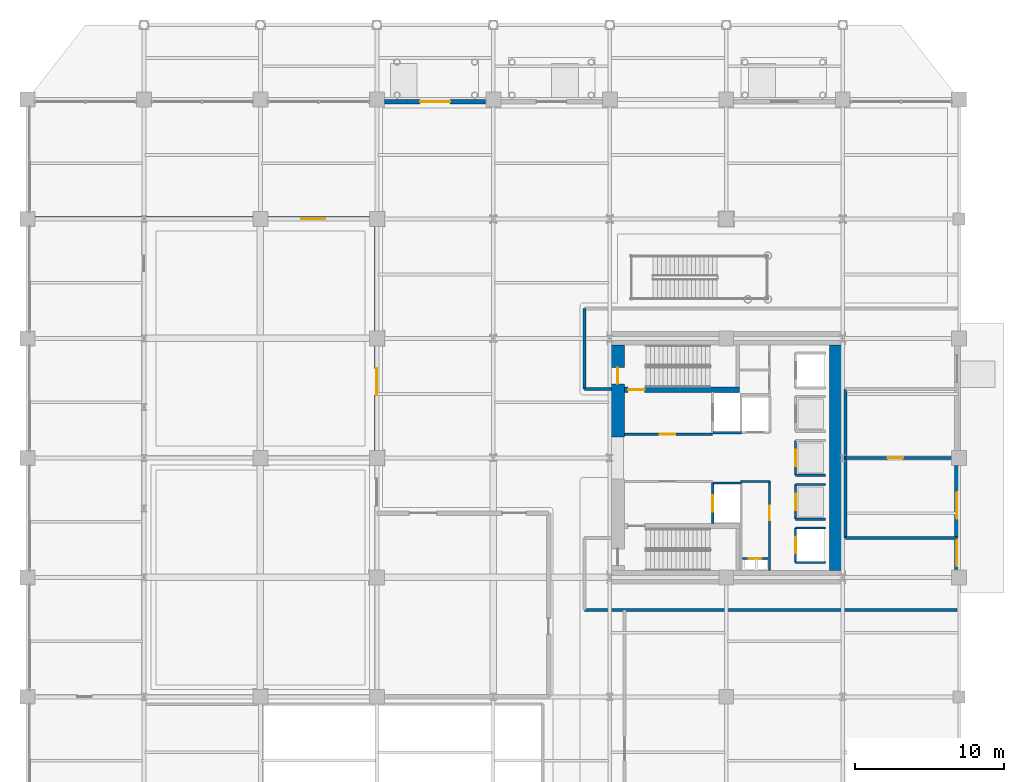
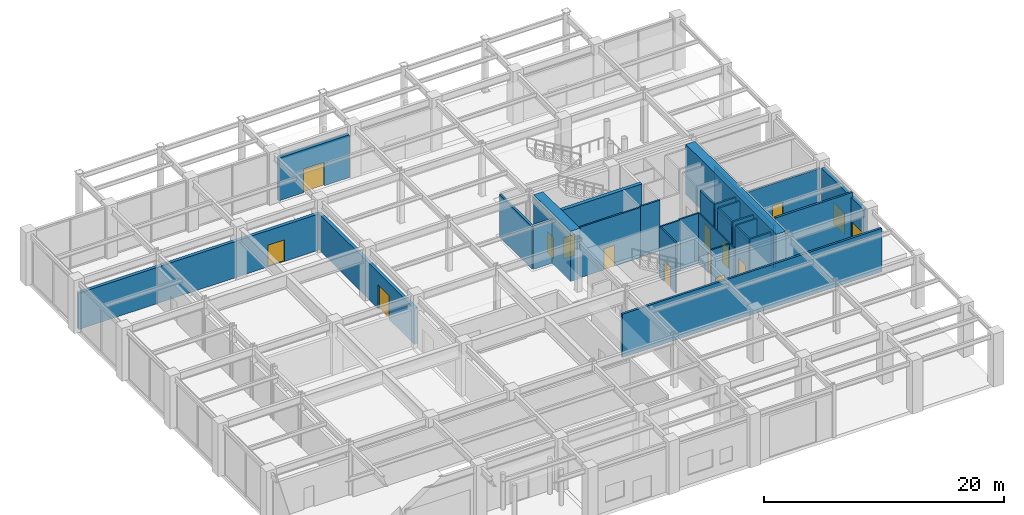
# One storey, part 20 of 27: 28 walls, 15 doors, 15 openings.
"""IFC4 building model written with IfcOpenShell, lengths in metres."""

from ifc_helpers import new_model, si_unit, direction, frame, frame_2d, origin, place, context, subcontext, project, spatial, rectangle, extrude, material, layer, layer_set, type_object, element, fill, save


model = new_model("IFC4")

# Units and contexts
model_context = context("Model", 3, precision=1e-05, world=origin(), true_north=direction((0.0, 1.0)))
body_context = subcontext(model_context, "Body", "Model", "MODEL_VIEW")
ifc_project = project(units=[si_unit("LENGTHUNIT", "METRE"), si_unit("AREAUNIT", "SQUARE_METRE"), si_unit("VOLUMEUNIT", "CUBIC_METRE"), si_unit("PLANEANGLEUNIT", "RADIAN"), si_unit("MASSUNIT", "GRAM", prefix="KILO")], contexts=[model_context])

# Site, building, storey
site_placement = place(None, origin())
site = spatial("IfcSite", under=ifc_project, at=site_placement, CompositionType="ELEMENT")
building_placement = place(site_placement, origin())
building = spatial("IfcBuilding", under=site, at=building_placement, Name="Veymaron Broadcast Tower", CompositionType="ELEMENT")
storey_placement = place(building_placement, origin())
storey = spatial("IfcBuildingStorey", under=building, at=storey_placement, Name="L00", CompositionType="ELEMENT", Elevation=0.0)

# Wall, opening, door
ifc_material_1 = material(Name="Double-stud acoustic gypsum and mineral wool", Category="gypsum")
ifc_layer_1 = layer(ifc_material_1, 0.300048828125)
ifc_layer_set_1 = layer_set([ifc_layer_1], Name="Double-stud acoustic gypsum and mineral wool")
wall_type_1 = type_object("IfcWallType", Name="WALL-ACOUSTIC-300", PredefinedType="PARTITIONING", material=ifc_layer_set_1)
wall_1_placement = place(storey_placement, frame((23.39990234375, 24.0, 0.0), z_axis=(0.0, 0.0, 1.0), x_axis=(0.0, 1.0, 0.0)))
wall_1 = element("IfcWall", 1, at=wall_1_placement, inside=storey, type_object=wall_type_1, Name="L00 partition IW-L00-STU2-E", PredefinedType="PARTITIONING", context=body_context, shape_type="SweptSolid", body=[
    extrude(rectangle(XDim=16.0, YDim=0.300048828125, at=frame_2d((8.0, 0.0))), origin(), (0.0, 0.0, 1.0), 3.68798828125),
])
opening_1_placement = place(wall_1_placement, frame((4.199951171875, 0.0, 0.0)))
opening_1 = element("IfcOpeningElement", 2, at=opening_1_placement, cuts=wall_1, Name="Opening ID-AC1", PredefinedType="OPENING", context=body_context, shape_type="SweptSolid", body=[
    extrude(rectangle(XDim=1.800048828125, YDim=2.39990234375, at=frame_2d((0.89990234375, 1.199951171875))), frame((0.0, 0.16015625, 0.0), z_axis=(0.0, -1.0, 0.0), x_axis=(1.0, 0.0, 0.0)), (0.0, 0.0, 1.0), 0.320068359375),
])
ifc_material_2 = material(Name="STC-55 acoustic steel double leaf with magnetic seals", Category="steel")
door_type_1 = type_object("IfcDoorType", Name="DOOR-ACOUSTIC-1800", OperationType="DOUBLE_DOOR_SINGLE_SWING", PredefinedType="DOOR", material=ifc_material_2)
door_1_placement = place(opening_1_placement, origin())
door_1 = element("IfcDoor", 3, at=door_1_placement, inside=storey, type_object=door_type_1, Name="L00 door DR-L00-STU2", OperationType="SINGLE_SWING_LEFT", OverallHeight=2.39990234375, OverallWidth=1.800048828125, PredefinedType="DOOR", context=body_context, shape_type="SweptSolid", body=[
    extrude(rectangle(XDim=1.800048828125, YDim=2.39990234375, at=frame_2d((0.89990234375, 1.199951171875))), frame((0.0, 0.02490234375, 0.0), z_axis=(0.0, -1.0, 0.0), x_axis=(1.0, 0.0, 0.0)), (0.0, 0.0, 1.0), 0.050048828125),
])
fill(opening_1, door_1)

wall_2_placement = place(storey_placement, frame((0.14990234375, 40.0, 0.0), z_axis=(0.0, 0.0, 1.0), x_axis=(1.0, 0.0, 0.0)))
wall_2 = element("IfcWall", 4, at=wall_2_placement, inside=storey, type_object=wall_type_1, Name="L00 partition IW-L00-STU-N", PredefinedType="PARTITIONING", context=body_context, shape_type="SweptSolid", body=[
    extrude(rectangle(XDim=23.25, YDim=0.300048828125, at=frame_2d((11.625, 0.0))), origin(), (0.0, 0.0, 1.0), 3.68798828125),
])
opening_2_placement = place(wall_2_placement, frame((18.199951171875, 0.0, 0.0)))
opening_2 = element("IfcOpeningElement", 5, at=opening_2_placement, cuts=wall_2, Name="Opening ID-GZ1", PredefinedType="OPENING", context=body_context, shape_type="SweptSolid", body=[
    extrude(rectangle(XDim=1.60009765625, YDim=2.199951171875, at=frame_2d((0.800048828125, 1.10009765625))), frame((0.0, 0.16015625, 0.0), z_axis=(0.0, -1.0, 0.0), x_axis=(1.0, 0.0, 0.0)), (0.0, 0.0, 1.0), 0.320068359375),
])
ifc_material_3 = material(Name="Anodised aluminium and tempered acoustic glass", Category="aluminium")
door_type_2 = type_object("IfcDoorType", Name="DOOR-GLZ-1600", OperationType="DOUBLE_DOOR_SINGLE_SWING", PredefinedType="DOOR", material=ifc_material_3)
door_2_placement = place(opening_2_placement, origin())
door_2 = element("IfcDoor", 6, at=door_2_placement, inside=storey, type_object=door_type_2, Name="L00 door DR-L00-CAFE", OperationType="SINGLE_SWING_LEFT", OverallHeight=2.199951171875, OverallWidth=1.60009765625, PredefinedType="DOOR", context=body_context, shape_type="SweptSolid", body=[
    extrude(rectangle(XDim=1.60009765625, YDim=2.199951171875, at=frame_2d((0.800048828125, 1.10009765625))), frame((0.0, 0.02490234375, 0.0), z_axis=(0.0, -1.0, 0.0), x_axis=(1.0, 0.0, 0.0)), (0.0, 0.0, 1.0), 0.050048828125),
])
fill(opening_2, door_2)

# Wall, openings, doors
ifc_material_4 = material(Name="Precast concrete C40/50 with mineral-wool insulation", Category="concrete")
ifc_layer_2 = layer(ifc_material_4, 0.300048828125)
ifc_layer_set_2 = layer_set([ifc_layer_2], Name="Precast concrete C40/50 with mineral-wool insulation")
wall_type_2 = type_object("IfcWallType", Name="WALL-EXT-300", PredefinedType="STANDARD", material=ifc_layer_set_2)
wall_3_placement = place(storey_placement, frame((62.25, 16.510009765625, 0.0), z_axis=(0.0, 0.0, 1.0), x_axis=(0.0, 1.0, 0.0)))
wall_3 = element("IfcWall", 7, at=wall_3_placement, inside=storey, type_object=wall_type_2, Name="L00 east Fire Command Centre and ST2 exit exterior wall", PredefinedType="STANDARD", context=body_context, shape_type="SweptSolid", body=[
    extrude(rectangle(XDim=6.97998046875, YDim=0.300048828125, at=frame_2d((3.489990234375, 0.0))), origin(), (0.0, 0.0, 1.0), 4.64794921875),
])
opening_3_placement = place(wall_3_placement, frame((0.219970703125, 0.0, 0.0)))
opening_3 = element("IfcOpeningElement", 8, at=opening_3_placement, cuts=wall_3, Name="Opening ED-EX1", PredefinedType="OPENING", context=body_context, shape_type="SweptSolid", body=[
    extrude(rectangle(XDim=1.800048828125, YDim=2.199951171875, at=frame_2d((0.89990234375, 1.10009765625))), frame((0.0, 0.16015625, 0.0), z_axis=(0.0, -1.0, 0.0), x_axis=(1.0, 0.0, 0.0)), (0.0, 0.0, 1.0), 0.320068359375),
])
opening_4_placement = place(wall_3_placement, frame((3.39990234375, 0.0, 0.0)))
opening_4 = element("IfcOpeningElement", 9, at=opening_4_placement, cuts=wall_3, Name="Opening ED-EX1", PredefinedType="OPENING", context=body_context, shape_type="SweptSolid", body=[
    extrude(rectangle(XDim=1.800048828125, YDim=2.199951171875, at=frame_2d((0.89990234375, 1.10009765625))), frame((0.0, 0.16015625, 0.0), z_axis=(0.0, -1.0, 0.0), x_axis=(1.0, 0.0, 0.0)), (0.0, 0.0, 1.0), 0.320068359375),
])
ifc_material_5 = material(Name="Painted galvanized hollow steel ASTM A653", Category="steel")
door_type_3 = type_object("IfcDoorType", Name="DOOR-EXT-1800", OperationType="DOUBLE_DOOR_SINGLE_SWING", PredefinedType="DOOR", material=ifc_material_5)
door_3_placement = place(opening_3_placement, frame((1.800048828125, 0.0, 0.0), z_axis=(0.0, 0.0, 1.0), x_axis=(-1.0, 0.0, 0.0)))
door_3 = element("IfcDoor", 10, at=door_3_placement, inside=storey, type_object=door_type_3, Name="L00 exit stair ST2 direct street discharge door", OperationType="SINGLE_SWING_LEFT", OverallHeight=2.199951171875, OverallWidth=1.800048828125, PredefinedType="DOOR", context=body_context, shape_type="SweptSolid", body=[
    extrude(rectangle(XDim=1.800048828125, YDim=2.199951171875, at=frame_2d((0.89990234375, 1.10009765625))), frame((0.0, 0.02490234375, 0.0), z_axis=(0.0, -1.0, 0.0), x_axis=(1.0, 0.0, 0.0)), (0.0, 0.0, 1.0), 0.050048828125),
])
fill(opening_3, door_3)
door_4_placement = place(opening_4_placement, frame((1.800048828125, 0.0, 0.0), z_axis=(0.0, 0.0, 1.0), x_axis=(-1.0, 0.0, 0.0)))
door_4 = element("IfcDoor", 11, at=door_4_placement, inside=storey, type_object=door_type_3, Name="L00 Fire Command Centre direct street entrance door", OperationType="SINGLE_SWING_LEFT", OverallHeight=2.199951171875, OverallWidth=1.800048828125, PredefinedType="DOOR", context=body_context, shape_type="SweptSolid", body=[
    extrude(rectangle(XDim=1.800048828125, YDim=2.199951171875, at=frame_2d((0.89990234375, 1.10009765625))), frame((0.0, 0.02490234375, 0.0), z_axis=(0.0, -1.0, 0.0), x_axis=(1.0, 0.0, 0.0)), (0.0, 0.0, 1.0), 0.050048828125),
])
fill(opening_4, door_4)

# Wall, opening, door
wall_4_placement = place(storey_placement, frame((23.909912109375, 47.85009765625, 0.0), z_axis=(0.0, 0.0, 1.0), x_axis=(1.0, 0.0, 0.0)))
wall_4 = element("IfcWall", 12, at=wall_4_placement, inside=storey, type_object=wall_type_2, Name="L00 north waterfront entrance wall bay 1", PredefinedType="STANDARD", context=body_context, shape_type="SweptSolid", body=[
    extrude(rectangle(XDim=6.780029296875, YDim=0.300048828125, at=frame_2d((3.39013671875, 0.0))), origin(), (0.0, 0.0, 1.0), 4.337890625),
])
opening_5_placement = place(wall_4_placement, frame((2.389892578125, 0.0, 0.0)))
opening_5 = element("IfcOpeningElement", 13, at=opening_5_placement, cuts=wall_4, Name="Opening ED-MN1", PredefinedType="OPENING", context=body_context, shape_type="SweptSolid", body=[
    extrude(rectangle(XDim=2.0, YDim=2.39990234375, at=frame_2d((1.0, 1.199951171875))), frame((0.0, 0.16015625, 0.0), z_axis=(0.0, -1.0, 0.0), x_axis=(1.0, 0.0, 0.0)), (0.0, 0.0, 1.0), 0.320068359375),
])
ifc_material_6 = material(Name="Thermally broken anodised aluminium and laminated safety glass", Category="aluminium")
door_type_4 = type_object("IfcDoorType", Name="DOOR-EXT-2000", OperationType="DOUBLE_DOOR_SINGLE_SWING", PredefinedType="DOOR", material=ifc_material_6)
door_5_placement = place(opening_5_placement, origin())
door_5 = element("IfcDoor", 14, at=door_5_placement, inside=storey, type_object=door_type_4, Name="Waterfront concourse main entrance A", OperationType="SINGLE_SWING_LEFT", OverallHeight=2.39990234375, OverallWidth=2.0, PredefinedType="DOOR", context=body_context, shape_type="SweptSolid", body=[
    extrude(rectangle(XDim=2.0, YDim=2.39990234375, at=frame_2d((1.0, 1.199951171875))), frame((0.0, 0.02490234375, 0.0), z_axis=(0.0, -1.0, 0.0), x_axis=(1.0, 0.0, 0.0)), (0.0, 0.0, 1.0), 0.050048828125),
])
fill(opening_5, door_5)

ifc_material_7 = material(Name="Gypsum fireboard and steel stud framing", Category="steel")
ifc_layer_3 = layer(ifc_material_7, 0.14990234375)
ifc_layer_set_3 = layer_set([ifc_layer_3], Name="Gypsum fireboard and steel stud framing")
wall_type_3 = type_object("IfcWallType", Name="WALL-FIRE-150", PredefinedType="PARTITIONING", material=ifc_layer_set_3)
wall_5_placement = place(storey_placement, frame((39.97998046875, 25.574951171875, 0.0), z_axis=(0.0, 0.0, 1.0), x_axis=(1.0, 0.0, 0.0)))
wall_5 = element("IfcWall", 15, at=wall_5_placement, inside=storey, type_object=wall_type_3, Name="L00 partition IW-L00-FFLN-S", PredefinedType="PARTITIONING", context=body_context, shape_type="SweptSolid", body=[
    extrude(rectangle(XDim=5.89990234375, YDim=0.14990234375, at=frame_2d((2.949951171875, 0.0))), origin(), (0.0, 0.0, 1.0), 5.1201171875),
])
opening_6_placement = place(wall_5_placement, frame((2.35009765625, 0.0, 0.0)))
opening_6 = element("IfcOpeningElement", 16, at=opening_6_placement, cuts=wall_5, Name="Opening ID-FL1", PredefinedType="OPENING", context=body_context, shape_type="SweptSolid", body=[
    extrude(rectangle(XDim=1.050048828125, YDim=2.14990234375, at=frame_2d((0.52490234375, 1.074951171875))), frame((0.0, 0.0849609375, 0.0), z_axis=(0.0, -1.0, 0.0), x_axis=(1.0, 0.0, 0.0)), (0.0, 0.0, 1.0), 0.169921875),
])
ifc_material_8 = material(Name="Fire-rated painted hollow steel ASTM A653", Category="steel")
door_type_5 = type_object("IfcDoorType", Name="DOOR-FIRE-1050", OperationType="NOTDEFINED", PredefinedType="DOOR", material=ifc_material_8)
door_6_placement = place(opening_6_placement, origin())
door_6 = element("IfcDoor", 17, at=door_6_placement, inside=storey, type_object=door_type_5, Name="L00 door DR-L00-FFLN", OperationType="SINGLE_SWING_LEFT", OverallHeight=2.14990234375, OverallWidth=1.050048828125, PredefinedType="DOOR", context=body_context, shape_type="SweptSolid", body=[
    extrude(rectangle(XDim=1.050048828125, YDim=2.14990234375, at=frame_2d((0.52490234375, 1.074951171875))), frame((0.0, 0.02490234375, 0.0), z_axis=(0.0, -1.0, 0.0), x_axis=(1.0, 0.0, 0.0)), (0.0, 0.0, 1.0), 0.050048828125),
])
fill(opening_6, door_6)

# Wall
wall_6_placement = place(storey_placement, frame((45.89501953125, 25.68994140625, 0.0), z_axis=(0.0, 0.0, 1.0), x_axis=(1.0, 0.0, 0.0)))
element("IfcWall", 18, at=wall_6_placement, inside=storey, type_object=wall_type_3, Name="L00 partition IW-L00-SHS-FFL-1", PredefinedType="PARTITIONING", context=body_context, shape_type="SweptSolid", body=[
    extrude(rectangle(XDim=1.9150390625, YDim=0.14990234375, at=frame_2d((0.95751953125, 0.0))), origin(), (0.0, 0.0, 1.0), 5.1201171875),
])

# Wall, opening, door
wall_7_placement = place(storey_placement, frame((45.89501953125, 19.590087890625, 0.0), z_axis=(0.0, 0.0, 1.0), x_axis=(0.0, 1.0, 0.0)))
wall_7 = element("IfcWall", 19, at=wall_7_placement, inside=storey, type_object=wall_type_3, Name="L00 partition IW-L00-SHW-FFL-2", PredefinedType="PARTITIONING", context=body_context, shape_type="SweptSolid", body=[
    extrude(rectangle(XDim=2.719970703125, YDim=0.14990234375, at=frame_2d((1.35986328125, 0.0))), origin(), (0.0, 0.0, 1.0), 5.1201171875),
])
opening_7_placement = place(wall_7_placement, frame((0.81005859375, 0.0, 0.0)))
opening_7 = element("IfcOpeningElement", 20, at=opening_7_placement, cuts=wall_7, Name="Opening LD", PredefinedType="OPENING", context=body_context, shape_type="SweptSolid", body=[
    extrude(rectangle(XDim=1.10009765625, YDim=2.14990234375, at=frame_2d((0.550048828125, 1.074951171875))), frame((0.0, 0.0849609375, 0.0), z_axis=(0.0, -1.0, 0.0), x_axis=(1.0, 0.0, 0.0)), (0.0, 0.0, 1.0), 0.169921875),
])
ifc_material_9 = material(Name="Brushed stainless steel AISI 304", Category="steel")
door_type_6 = type_object("IfcDoorType", Name="DOOR-LIFT-1100", OperationType="DOUBLE_DOOR_SLIDING", PredefinedType="DOOR", material=ifc_material_9)
door_7_placement = place(opening_7_placement, frame((1.10009765625, 0.0, 0.0), z_axis=(0.0, 0.0, 1.0), x_axis=(-1.0, 0.0, 0.0)))
door_7 = element("IfcDoor", 21, at=door_7_placement, inside=storey, type_object=door_type_6, Name="L00 door LD-L00-FFL-2", OperationType="DOUBLE_DOOR_SLIDING", OverallHeight=2.14990234375, OverallWidth=1.10009765625, PredefinedType="DOOR", context=body_context, shape_type="SweptSolid", body=[
    extrude(rectangle(XDim=1.10009765625, YDim=2.14990234375, at=frame_2d((0.550048828125, 1.074951171875))), frame((0.0, 0.02490234375, 0.0), z_axis=(0.0, -1.0, 0.0), x_axis=(1.0, 0.0, 0.0)), (0.0, 0.0, 1.0), 0.050048828125),
])
fill(opening_7, door_7)

# Wall
wall_8_placement = place(storey_placement, frame((45.89501953125, 22.31005859375, 0.0), z_axis=(0.0, 0.0, 1.0), x_axis=(1.0, 0.0, 0.0)))
element("IfcWall", 22, at=wall_8_placement, inside=storey, type_object=wall_type_3, Name="L00 partition IW-L00-SHN-FFL-2", PredefinedType="PARTITIONING", context=body_context, shape_type="SweptSolid", body=[
    extrude(rectangle(XDim=1.9150390625, YDim=0.14990234375, at=frame_2d((0.95751953125, 0.0))), origin(), (0.0, 0.0, 1.0), 5.1201171875),
])

# Wall, opening, door
wall_9_placement = place(storey_placement, frame((51.445068359375, 19.889892578125, 0.0), z_axis=(0.0, 0.0, 1.0), x_axis=(0.0, 1.0, 0.0)))
wall_9 = element("IfcWall", 23, at=wall_9_placement, inside=storey, type_object=wall_type_3, Name="L00 partition IW-L00-SHW-PM2", PredefinedType="PARTITIONING", context=body_context, shape_type="SweptSolid", body=[
    extrude(rectangle(XDim=2.320068359375, YDim=0.14990234375, at=frame_2d((1.16015625, 0.0))), origin(), (0.0, 0.0, 1.0), 5.1201171875),
])
opening_8_placement = place(wall_9_placement, frame((0.610107421875, 0.0, 0.0)))
opening_8 = element("IfcOpeningElement", 24, at=opening_8_placement, cuts=wall_9, Name="Opening LD", PredefinedType="OPENING", context=body_context, shape_type="SweptSolid", body=[
    extrude(rectangle(XDim=1.10009765625, YDim=2.14990234375, at=frame_2d((0.550048828125, 1.074951171875))), frame((0.0, 0.0849609375, 0.0), z_axis=(0.0, -1.0, 0.0), x_axis=(1.0, 0.0, 0.0)), (0.0, 0.0, 1.0), 0.169921875),
])
door_8_placement = place(opening_8_placement, frame((1.10009765625, 0.0, 0.0), z_axis=(0.0, 0.0, 1.0), x_axis=(-1.0, 0.0, 0.0)))
door_8 = element("IfcDoor", 25, at=door_8_placement, inside=storey, type_object=door_type_6, Name="L00 door LD-L00-PM2", OperationType="DOUBLE_DOOR_SLIDING", OverallHeight=2.14990234375, OverallWidth=1.10009765625, PredefinedType="DOOR", context=body_context, shape_type="SweptSolid", body=[
    extrude(rectangle(XDim=1.10009765625, YDim=2.14990234375, at=frame_2d((0.550048828125, 1.074951171875))), frame((0.0, 0.02490234375, 0.0), z_axis=(0.0, -1.0, 0.0), x_axis=(1.0, 0.0, 0.0)), (0.0, 0.0, 1.0), 0.050048828125),
])
fill(opening_8, door_8)

# Walls
for number, where, z_axis, x_axis, name in (
    (26, (51.445068359375, 19.889892578125, 0.0), (0.0, 0.0, 1.0), (1.0, 0.0, 0.0), "L00 partition IW-L00-SHS-PM2"),
    (27, (51.445068359375, 22.2099609375, 0.0), (0.0, 0.0, 1.0), (1.0, 0.0, 0.0), "L00 partition IW-L00-SHN-PM2"),
):
    element("IfcWall", number, at=place(storey_placement, frame(where, z_axis=z_axis, x_axis=x_axis)), inside=storey, type_object=wall_type_3, Name=name, PredefinedType="PARTITIONING", context=body_context, shape_type="SweptSolid", body=[
        extrude(rectangle(XDim=2.014892578125, YDim=0.14990234375, at=frame_2d((1.00732421875, 0.0))), origin(), (0.0, 0.0, 1.0), 5.1201171875),
    ])

# Wall, opening, door
wall_10_placement = place(storey_placement, frame((51.445068359375, 22.840087890625, 0.0), z_axis=(0.0, 0.0, 1.0), x_axis=(0.0, 1.0, 0.0)))
wall_10 = element("IfcWall", 28, at=wall_10_placement, inside=storey, type_object=wall_type_3, Name="L00 partition IW-L00-SHW-PM3", PredefinedType="PARTITIONING", context=body_context, shape_type="SweptSolid", body=[
    extrude(rectangle(XDim=2.31982421875, YDim=0.14990234375, at=frame_2d((1.159912109375, 0.0))), origin(), (0.0, 0.0, 1.0), 5.1201171875),
])
opening_9_placement = place(wall_10_placement, frame((0.610107421875, 0.0, 0.0)))
opening_9 = element("IfcOpeningElement", 29, at=opening_9_placement, cuts=wall_10, Name="Opening LD", PredefinedType="OPENING", context=body_context, shape_type="SweptSolid", body=[
    extrude(rectangle(XDim=1.10009765625, YDim=2.14990234375, at=frame_2d((0.550048828125, 1.074951171875))), frame((0.0, 0.0849609375, 0.0), z_axis=(0.0, -1.0, 0.0), x_axis=(1.0, 0.0, 0.0)), (0.0, 0.0, 1.0), 0.169921875),
])
door_9_placement = place(opening_9_placement, frame((1.10009765625, 0.0, 0.0), z_axis=(0.0, 0.0, 1.0), x_axis=(-1.0, 0.0, 0.0)))
door_9 = element("IfcDoor", 30, at=door_9_placement, inside=storey, type_object=door_type_6, Name="L00 door LD-L00-PM3", OperationType="DOUBLE_DOOR_SLIDING", OverallHeight=2.14990234375, OverallWidth=1.10009765625, PredefinedType="DOOR", context=body_context, shape_type="SweptSolid", body=[
    extrude(rectangle(XDim=1.10009765625, YDim=2.14990234375, at=frame_2d((0.550048828125, 1.074951171875))), frame((0.0, 0.02490234375, 0.0), z_axis=(0.0, -1.0, 0.0), x_axis=(1.0, 0.0, 0.0)), (0.0, 0.0, 1.0), 0.050048828125),
])
fill(opening_9, door_9)

# Wall
wall_11_placement = place(storey_placement, frame((51.445068359375, 22.840087890625, 0.0), z_axis=(0.0, 0.0, 1.0), x_axis=(1.0, 0.0, 0.0)))
element("IfcWall", 31, at=wall_11_placement, inside=storey, type_object=wall_type_3, Name="L00 partition IW-L00-SHS-PM3", PredefinedType="PARTITIONING", context=body_context, shape_type="SweptSolid", body=[
    extrude(rectangle(XDim=2.014892578125, YDim=0.14990234375, at=frame_2d((1.00732421875, 0.0))), origin(), (0.0, 0.0, 1.0), 5.1201171875),
])

# Wall, opening, door
wall_12_placement = place(storey_placement, frame((51.445068359375, 16.989990234375, 0.0), z_axis=(0.0, 0.0, 1.0), x_axis=(0.0, 1.0, 0.0)))
wall_12 = element("IfcWall", 32, at=wall_12_placement, inside=storey, type_object=wall_type_3, Name="L00 partition IW-L00-SHW-PH1", PredefinedType="PARTITIONING", context=body_context, shape_type="SweptSolid", body=[
    extrude(rectangle(XDim=2.320068359375, YDim=0.14990234375, at=frame_2d((1.16015625, 0.0))), origin(), (0.0, 0.0, 1.0), 5.1201171875),
])
opening_10_placement = place(wall_12_placement, frame((0.610107421875, 0.0, 0.0)))
opening_10 = element("IfcOpeningElement", 33, at=opening_10_placement, cuts=wall_12, Name="Opening LD", PredefinedType="OPENING", context=body_context, shape_type="SweptSolid", body=[
    extrude(rectangle(XDim=1.10009765625, YDim=2.14990234375, at=frame_2d((0.550048828125, 1.074951171875))), frame((0.0, 0.0849609375, 0.0), z_axis=(0.0, -1.0, 0.0), x_axis=(1.0, 0.0, 0.0)), (0.0, 0.0, 1.0), 0.169921875),
])
door_10_placement = place(opening_10_placement, frame((1.10009765625, 0.0, 0.0), z_axis=(0.0, 0.0, 1.0), x_axis=(-1.0, 0.0, 0.0)))
door_10 = element("IfcDoor", 34, at=door_10_placement, inside=storey, type_object=door_type_6, Name="L00 door LD-L00-PH1", OperationType="DOUBLE_DOOR_SLIDING", OverallHeight=2.14990234375, OverallWidth=1.10009765625, PredefinedType="DOOR", context=body_context, shape_type="SweptSolid", body=[
    extrude(rectangle(XDim=1.10009765625, YDim=2.14990234375, at=frame_2d((0.550048828125, 1.074951171875))), frame((0.0, 0.02490234375, 0.0), z_axis=(0.0, -1.0, 0.0), x_axis=(1.0, 0.0, 0.0)), (0.0, 0.0, 1.0), 0.050048828125),
])
fill(opening_10, door_10)

# Walls
for number, where, z_axis, x_axis, name in (
    (35, (51.445068359375, 16.989990234375, 0.0), (0.0, 0.0, 1.0), (1.0, 0.0, 0.0), "L00 partition IW-L00-SHS-PH1"),
    (36, (51.445068359375, 19.31005859375, 0.0), (0.0, 0.0, 1.0), (1.0, 0.0, 0.0), "L00 partition IW-L00-SHN-PH1"),
):
    element("IfcWall", number, at=place(storey_placement, frame(where, z_axis=z_axis, x_axis=x_axis)), inside=storey, type_object=wall_type_3, Name=name, PredefinedType="PARTITIONING", context=body_context, shape_type="SweptSolid", body=[
        extrude(rectangle(XDim=2.014892578125, YDim=0.14990234375, at=frame_2d((1.00732421875, 0.0))), origin(), (0.0, 0.0, 1.0), 5.1201171875),
    ])

# Wall, opening, door
wall_13_placement = place(storey_placement, frame((47.8798828125, 17.260009765625, 0.0), z_axis=(0.0, 0.0, 1.0), x_axis=(1.0, 0.0, 0.0)))
wall_13 = element("IfcWall", 37, at=wall_13_placement, inside=storey, type_object=wall_type_3, Name="L00 partition IW-L00-RIS-N", PredefinedType="PARTITIONING", context=body_context, shape_type="SweptSolid", body=[
    extrude(rectangle(XDim=1.72021484375, YDim=0.14990234375, at=frame_2d((0.860107421875, 0.0))), origin(), (0.0, 0.0, 1.0), 5.1201171875),
])
opening_11_placement = place(wall_13_placement, frame((0.419921875, 0.0, 0.0)))
opening_11 = element("IfcOpeningElement", 38, at=opening_11_placement, cuts=wall_13, Name="Opening ID-RS1", PredefinedType="OPENING", context=body_context, shape_type="SweptSolid", body=[
    extrude(rectangle(XDim=0.85009765625, YDim=2.14990234375, at=frame_2d((0.425048828125, 1.074951171875))), frame((0.0, 0.0849609375, 0.0), z_axis=(0.0, -1.0, 0.0), x_axis=(1.0, 0.0, 0.0)), (0.0, 0.0, 1.0), 0.169921875),
])
ifc_material_10 = material(Name="Fire-rated powder-coated steel riser leaf", Category="steel")
door_type_7 = type_object("IfcDoorType", Name="DOOR-RIS-850", OperationType="NOTDEFINED", PredefinedType="TRAPDOOR", material=ifc_material_10)
door_11_placement = place(opening_11_placement, origin())
door_11 = element("IfcDoor", 39, at=door_11_placement, inside=storey, type_object=door_type_7, Name="L00 door DR-L00-RIS", OperationType="SINGLE_SWING_LEFT", OverallHeight=2.14990234375, OverallWidth=0.85009765625, PredefinedType="TRAPDOOR", context=body_context, shape_type="SweptSolid", body=[
    extrude(rectangle(XDim=0.85009765625, YDim=2.14990234375, at=frame_2d((0.425048828125, 1.074951171875))), frame((0.0, 0.02490234375, 0.0), z_axis=(0.0, -1.0, 0.0), x_axis=(1.0, 0.0, 0.0)), (0.0, 0.0, 1.0), 0.050048828125),
])
fill(opening_11, door_11)

# Walls
wall_14_placement = place(storey_placement, frame((47.760009765625, 22.425048828125, 0.0), z_axis=(0.0, 0.0, 1.0), x_axis=(1.0, 0.0, 0.0)))
element("IfcWall", 40, at=wall_14_placement, inside=storey, type_object=wall_type_3, Name="L00 partition IW-L00-SM-N", PredefinedType="PARTITIONING", context=body_context, shape_type="SweptSolid", body=[
    extrude(rectangle(XDim=1.9599609375, YDim=0.14990234375, at=frame_2d((0.97998046875, 0.0))), origin(), (0.0, 0.0, 1.0), 5.1201171875),
])
ifc_material_11 = material(Name="Concrete C40/50", Category="concrete")
ifc_layer_4 = layer(ifc_material_11, 0.199951171875)
ifc_layer_set_4 = layer_set([ifc_layer_4], Name="Concrete C40/50")
wall_type_4 = type_object("IfcWallType", Name="WALL-FIRE-200", PredefinedType="SOLIDWALL", material=ifc_layer_set_4)
wall_15_placement = place(storey_placement, frame((37.300048828125, 28.60009765625, 0.0), z_axis=(0.0, 0.0, 1.0), x_axis=(0.0, 1.0, 0.0)))
element("IfcWall", 41, at=wall_15_placement, inside=storey, type_object=wall_type_4, Name="L00 partition IW-L00-EX1-W", PredefinedType="SOLIDWALL", context=body_context, shape_type="SweptSolid", body=[
    extrude(rectangle(XDim=5.39990234375, YDim=0.199951171875, at=frame_2d((2.699951171875, 0.0))), origin(), (0.0, 0.0, 1.0), 4.337890625),
])
wall_16_placement = place(storey_placement, frame((37.300048828125, 28.60009765625, 0.0), z_axis=(0.0, 0.0, 1.0), x_axis=(1.0, 0.0, 0.0)))
element("IfcWall", 42, at=wall_16_placement, inside=storey, type_object=wall_type_4, Name="L00 partition IW-L00-EX1-S0", PredefinedType="SOLIDWALL", context=body_context, shape_type="SweptSolid", body=[
    extrude(rectangle(XDim=1.800048828125, YDim=0.199951171875, at=frame_2d((0.89990234375, 0.0))), origin(), (0.0, 0.0, 1.0), 4.4150390625),
])
wall_17_placement = place(storey_placement, frame((37.300048828125, 13.800048828125, 0.0), z_axis=(0.0, 0.0, 1.0), x_axis=(1.0, 0.0, 0.0)))
element("IfcWall", 43, at=wall_17_placement, inside=storey, type_object=wall_type_4, Name="L00 partition IW-L00-EX2-S", PredefinedType="SOLIDWALL", context=body_context, shape_type="SweptSolid", body=[
    extrude(rectangle(XDim=24.949951171875, YDim=0.199951171875, at=frame_2d((12.47509765625, 0.0))), origin(), (0.0, 0.0, 1.0), 4.4150390625),
])
wall_18_placement = place(storey_placement, frame((54.800048828125, 18.64990234375, 0.0), z_axis=(0.0, 0.0, 1.0), x_axis=(1.0, 0.0, 0.0)))
element("IfcWall", 44, at=wall_18_placement, inside=storey, type_object=wall_type_4, Name="L00 partition IW-L00-EX2-N", PredefinedType="SOLIDWALL", context=body_context, shape_type="SweptSolid", body=[
    extrude(rectangle(XDim=7.449951171875, YDim=0.199951171875, at=frame_2d((3.72509765625, 0.0))), origin(), (0.0, 0.0, 1.0), 5.1201171875),
])
wall_19_placement = place(storey_placement, frame((54.800048828125, 18.64990234375, 0.0), z_axis=(0.0, 0.0, 1.0), x_axis=(0.0, 1.0, 0.0)))
element("IfcWall", 45, at=wall_19_placement, inside=storey, type_object=wall_type_4, Name="L00 partition IW-L00-FCC-W", PredefinedType="SOLIDWALL", context=body_context, shape_type="SweptSolid", body=[
    extrude(rectangle(XDim=9.9501953125, YDim=0.199951171875, at=frame_2d((4.97509765625, 0.0))), origin(), (0.0, 0.0, 1.0), 4.337890625),
])

# Wall, opening, door
wall_20_placement = place(storey_placement, frame((54.800048828125, 24.0, 0.0), z_axis=(0.0, 0.0, 1.0), x_axis=(1.0, 0.0, 0.0)))
wall_20 = element("IfcWall", 46, at=wall_20_placement, inside=storey, type_object=wall_type_4, Name="L00 partition IW-L00-FCC-N", PredefinedType="SOLIDWALL", context=body_context, shape_type="SweptSolid", body=[
    extrude(rectangle(XDim=7.449951171875, YDim=0.199951171875, at=frame_2d((3.72509765625, 0.0))), origin(), (0.0, 0.0, 1.0), 4.337890625),
])
opening_12_placement = place(wall_20_placement, frame((2.800048828125, 0.0, 0.0)))
opening_12 = element("IfcOpeningElement", 47, at=opening_12_placement, cuts=wall_20, Name="Opening ID-FL1", PredefinedType="OPENING", context=body_context, shape_type="SweptSolid", body=[
    extrude(rectangle(XDim=1.050048828125, YDim=2.14990234375, at=frame_2d((0.52490234375, 1.074951171875))), frame((0.0, 0.10986328125, 0.0), z_axis=(0.0, -1.0, 0.0), x_axis=(1.0, 0.0, 0.0)), (0.0, 0.0, 1.0), 0.219970703125),
])
door_12_placement = place(opening_12_placement, origin())
door_12 = element("IfcDoor", 48, at=door_12_placement, inside=storey, type_object=door_type_5, Name="L00 door DR-L00-FCC", OperationType="SINGLE_SWING_LEFT", OverallHeight=2.14990234375, OverallWidth=1.050048828125, PredefinedType="DOOR", context=body_context, shape_type="SweptSolid", body=[
    extrude(rectangle(XDim=1.050048828125, YDim=2.14990234375, at=frame_2d((0.52490234375, 1.074951171875))), frame((0.0, 0.02490234375, 0.0), z_axis=(0.0, -1.0, 0.0), x_axis=(1.0, 0.0, 0.0)), (0.0, 0.0, 1.0), 0.050048828125),
])
fill(opening_12, door_12)

ifc_material_12 = material(Name="Acoustic gypsum board and galvanized stud", Category="gypsum")
ifc_layer_5 = layer(ifc_material_12, 0.1201171875)
ifc_layer_set_5 = layer_set([ifc_layer_5], Name="Acoustic gypsum board and galvanized stud")
wall_type_5 = type_object("IfcWallType", Name="WALL-PART-120", PredefinedType="PARTITIONING", material=ifc_layer_set_5)
wall_21_placement = place(storey_placement, frame((49.699951171875, 16.47998046875, 0.0), z_axis=(0.0, 0.0, 1.0), x_axis=(0.0, 1.0, 0.0)))
wall_21 = element("IfcWall", 49, at=wall_21_placement, inside=storey, type_object=wall_type_5, Name="L00 partition IW-L00-SM-E", PredefinedType="PARTITIONING", context=body_context, shape_type="SweptSolid", body=[
    extrude(rectangle(XDim=5.945068359375, YDim=0.1201171875, at=frame_2d((2.97265625, 0.0))), origin(), (0.0, 0.0, 1.0), 5.1201171875),
])
opening_13_placement = place(wall_21_placement, frame((3.35009765625, 0.0, 0.0)))
opening_13 = element("IfcOpeningElement", 50, at=opening_13_placement, cuts=wall_21, Name="Opening ID-RM1", PredefinedType="OPENING", context=body_context, shape_type="SweptSolid", body=[
    extrude(rectangle(XDim=0.949951171875, YDim=2.14990234375, at=frame_2d((0.47509765625, 1.074951171875))), frame((0.0, 0.070068359375, 0.0), z_axis=(0.0, -1.0, 0.0), x_axis=(1.0, 0.0, 0.0)), (0.0, 0.0, 1.0), 0.14013671875),
])
ifc_material_13 = material(Name="Acoustic solid-core European oak veneer timber", Category="wood")
door_type_8 = type_object("IfcDoorType", Name="DOOR-INT-950", OperationType="NOTDEFINED", PredefinedType="DOOR", material=ifc_material_13)
door_13_placement = place(opening_13_placement, frame((0.949951171875, 0.0, 0.0), z_axis=(0.0, 0.0, 1.0), x_axis=(-1.0, 0.0, 0.0)))
door_13 = element("IfcDoor", 51, at=door_13_placement, inside=storey, type_object=door_type_8, Name="L00 door DR-L00-AWC", OperationType="SINGLE_SWING_LEFT", OverallHeight=2.14990234375, OverallWidth=0.949951171875, PredefinedType="DOOR", context=body_context, shape_type="SweptSolid", body=[
    extrude(rectangle(XDim=0.949951171875, YDim=2.14990234375, at=frame_2d((0.47509765625, 1.074951171875))), frame((0.0, 0.02490234375, 0.0), z_axis=(0.0, -1.0, 0.0), x_axis=(1.0, 0.0, 0.0)), (0.0, 0.0, 1.0), 0.050048828125),
])
fill(opening_13, door_13)

ifc_material_14 = material(Name="Concrete C50/60", Category="concrete")
ifc_layer_6 = layer(ifc_material_14, 0.35009765625)
ifc_layer_set_6 = layer_set([ifc_layer_6], Name="Concrete C50/60")
wall_type_6 = type_object("IfcWallType", Name="WALL-SHEAR-350", PredefinedType="SHEAR", material=ifc_layer_set_6)
wall_22_placement = place(storey_placement, frame((39.97998046875, 28.554931640625, 0.0), z_axis=(0.0, 0.0, 1.0), x_axis=(1.0, 0.0, 0.0)))
wall_22 = element("IfcWall", 52, at=wall_22_placement, inside=storey, type_object=wall_type_6, Name="L00 Core Wall north stair spine", PredefinedType="SHEAR", context=body_context, shape_type="SweptSolid", body=[
    extrude(rectangle(XDim=7.7099609375, YDim=0.35009765625, at=frame_2d((3.85498046875, 0.0))), origin(), (0.0, 0.0, 1.0), 5.1201171875),
])
opening_14_placement = place(wall_22_placement, frame((0.25, 0.0, 0.0)))
opening_14 = element("IfcOpeningElement", 53, at=opening_14_placement, cuts=wall_22, Name="Opening ID-ST1", PredefinedType="OPENING", context=body_context, shape_type="SweptSolid", body=[
    extrude(rectangle(XDim=1.10009765625, YDim=2.14990234375, at=frame_2d((0.550048828125, 1.074951171875))), frame((0.0, 0.18505859375, 0.0), z_axis=(0.0, -1.0, 0.0), x_axis=(1.0, 0.0, 0.0)), (0.0, 0.0, 1.0), 0.3701171875),
])
door_type_9 = type_object("IfcDoorType", Name="DOOR-STAIR-1100", OperationType="NOTDEFINED", PredefinedType="DOOR", material=ifc_material_8)
door_14_placement = place(opening_14_placement, origin())
door_14 = element("IfcDoor", 54, at=door_14_placement, inside=storey, type_object=door_type_9, Name="L00 exit stair ST1 fire door", OperationType="SINGLE_SWING_LEFT", OverallHeight=2.14990234375, OverallWidth=1.10009765625, PredefinedType="DOOR", context=body_context, shape_type="SweptSolid", body=[
    extrude(rectangle(XDim=1.10009765625, YDim=2.14990234375, at=frame_2d((0.550048828125, 1.074951171875))), frame((0.0, 0.02490234375, 0.0), z_axis=(0.0, -1.0, 0.0), x_axis=(1.0, 0.0, 0.0)), (0.0, 0.0, 1.0), 0.050048828125),
])
fill(opening_14, door_14)

ifc_material_15 = material(Name="Concrete C70/85", Category="concrete")
ifc_layer_7 = layer(ifc_material_15, 0.89990234375)
ifc_layer_set_7 = layer_set([ifc_layer_7], Name="Concrete C70/85")
wall_type_7 = type_object("IfcWallType", Name="WALL-SHEAR-900", PredefinedType="SHEAR", material=ifc_layer_set_7)
wall_23_placement = place(storey_placement, frame((39.530029296875, 25.39990234375, 0.0), z_axis=(0.0, 0.0, 1.0), x_axis=(0.0, 1.0, 0.0)))
wall_23 = element("IfcWall", 55, at=wall_23_placement, inside=storey, type_object=wall_type_7, Name="L00 Core Wall west-north shear", PredefinedType="SHEAR", context=body_context, shape_type="SweptSolid", body=[
    extrude(rectangle(XDim=6.150146484375, YDim=0.89990234375, at=frame_2d((3.0751953125, 0.0))), origin(), (0.0, 0.0, 1.0), 5.1201171875),
])
opening_15_placement = place(wall_23_placement, frame((3.550048828125, 0.0, 0.0)))
opening_15 = element("IfcOpeningElement", 56, at=opening_15_placement, cuts=wall_23, Name="Opening ID-ST1", PredefinedType="OPENING", context=body_context, shape_type="SweptSolid", body=[
    extrude(rectangle(XDim=1.10009765625, YDim=2.14990234375, at=frame_2d((0.550048828125, 1.074951171875))), frame((0.0, 0.4599609375, 0.0), z_axis=(0.0, -1.0, 0.0), x_axis=(1.0, 0.0, 0.0)), (0.0, 0.0, 1.0), 0.919921875),
])
door_15_placement = place(opening_15_placement, frame((1.10009765625, 0.0, 0.0), z_axis=(0.0, 0.0, 1.0), x_axis=(-1.0, 0.0, 0.0)))
door_15 = element("IfcDoor", 57, at=door_15_placement, inside=storey, type_object=door_type_9, Name="L00 exit stair ST1 protected passageway discharge door", OperationType="SINGLE_SWING_LEFT", OverallHeight=2.14990234375, OverallWidth=1.10009765625, PredefinedType="DOOR", context=body_context, shape_type="SweptSolid", body=[
    extrude(rectangle(XDim=1.10009765625, YDim=2.14990234375, at=frame_2d((0.550048828125, 1.074951171875))), frame((0.0, 0.02490234375, 0.0), z_axis=(0.0, -1.0, 0.0), x_axis=(1.0, 0.0, 0.0)), (0.0, 0.0, 1.0), 0.050048828125),
])
fill(opening_15, door_15)

# Wall
wall_24_placement = place(storey_placement, frame((54.14990234375, 16.449951171875, 0.0), z_axis=(0.0, 0.0, 1.0), x_axis=(0.0, 1.0, 0.0)))
element("IfcWall", 58, at=wall_24_placement, inside=storey, type_object=wall_type_7, Name="L00 Core Wall east shear", PredefinedType="SHEAR", context=body_context, shape_type="SweptSolid", body=[
    extrude(rectangle(XDim=15.10009765625, YDim=0.89990234375, at=frame_2d((7.550048828125, 0.0))), origin(), (0.0, 0.0, 1.0), 5.1201171875),
])

save(model, "model.ifc")
